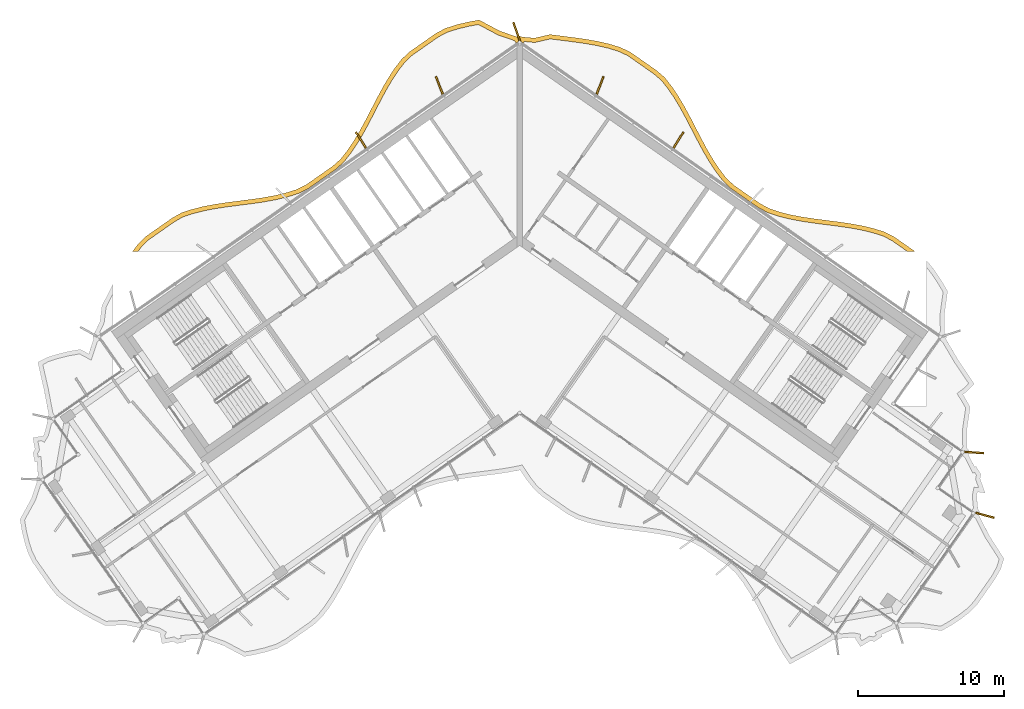
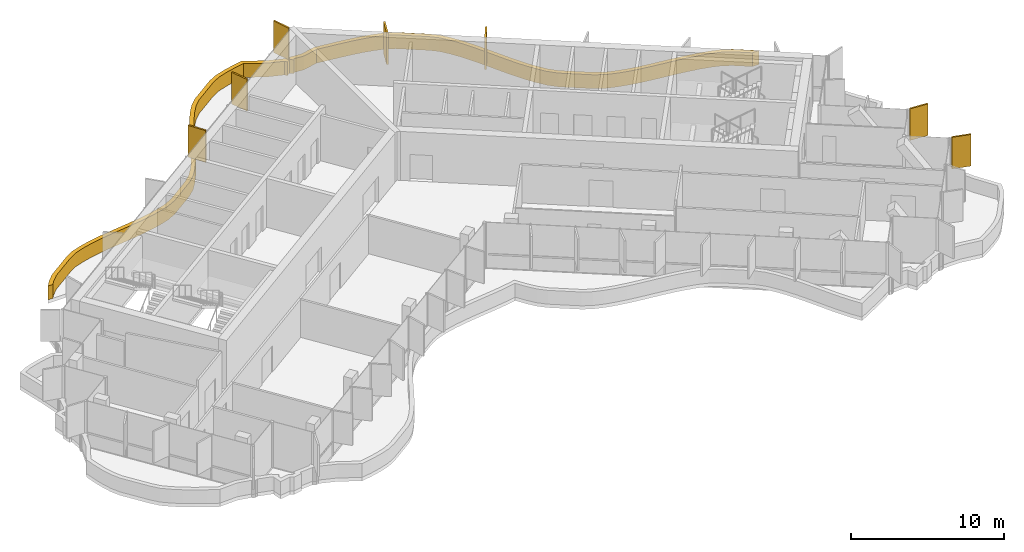
# One storey, part 18 of 18: 8 shading devices.
"""IFC4 building model written with IfcOpenShell, lengths in metres."""

from ifc_helpers import new_model, si_unit, direction, frame, origin, origin_2d, place, context, subcontext, project, spatial, polyline, rectangle, outline, extrude, material, layer, layer_set, type_object, element, save


model = new_model("IFC4")

# Units and contexts
model_context = context("Model", 3, precision=1e-05, world=origin(), true_north=direction((0.0, 1.0)))
body_context = subcontext(model_context, "Body", "Model", "MODEL_VIEW")
ifc_project = project(units=[si_unit("LENGTHUNIT", "METRE"), si_unit("AREAUNIT", "SQUARE_METRE"), si_unit("VOLUMEUNIT", "CUBIC_METRE"), si_unit("PLANEANGLEUNIT", "RADIAN"), si_unit("MASSUNIT", "GRAM", prefix="KILO")], contexts=[model_context])

# Site, building, storey
site_placement = place(None, origin())
site = spatial("IfcSite", under=ifc_project, at=site_placement, CompositionType="ELEMENT")
building_placement = place(site_placement, origin())
building = spatial("IfcBuilding", under=site, at=building_placement, Name="Tel Ilan Convention Tower", CompositionType="ELEMENT")
storey_placement = place(building_placement, frame((0.0, 0.0, 268.300048828125)))
storey = spatial("IfcBuildingStorey", under=building, at=storey_placement, Name="L63", CompositionType="ELEMENT", Elevation=268.300048828125)

# Shading devices
ifc_material_1 = material(Name="Aluminium, bronze anodised", Category="aluminium")
ifc_layer_1 = layer(ifc_material_1, 0.1201171875)
ifc_layer_set_1 = layer_set([ifc_layer_1], Name="FIN BRONZE 1300x120")
shading_device_type_1 = type_object("IfcShadingDeviceType", Name="FIN BRONZE 1300x120", PredefinedType="USERDEFINED", material=ifc_layer_set_1)
for number, where, z_axis, x_axis, name in (
    (1, (10.87841796875, 5.99658203125, 1.099853515625), (0.0, 0.0, 1.0), (0.533204432798, 0.845986425922, 0.0), "FIN"),
    (2, (5.50732421875, 9.7490234375, 1.099853515625), (0.0, 0.0, 1.0), (0.360177724803, 0.932883704733, 0.0), "FIN"),
    (3, (-0.21630859375, 13.450439453125, 1.099853515625), (0.0, 0.0, 1.0), (-0.332892691468, 0.942964716183, 0.0), "FIN"),
    (4, (-5.50732421875, 9.7490234375, 1.099853515625), (0.0, 0.0, 1.0), (-0.360177724803, 0.932883704733, 0.0), "FIN"),
    (5, (-10.87841796875, 5.99658203125, 1.099853515625), (0.0, 0.0, 1.0), (-0.533204432798, 0.845986425922, 0.0), "FIN"),
    (6, (31.886962890625, -19.715087890625, 1.099853515625), (0.0, 0.0, 1.0), (0.965925826289, -0.258819045103, 0.0), "FIN"),
    (7, (31.16015625, -15.414794921875, 1.099853515625), (0.0, 0.0, 1.0), (0.997697449973, -0.067821812994, 0.0), "FIN"),
):
    element("IfcShadingDevice", number, at=place(storey_placement, frame(where, z_axis=z_axis, x_axis=x_axis)), inside=storey, type_object=shading_device_type_1, Name=name, ObjectType="FIN", PredefinedType="USERDEFINED", context=body_context, shape_type="SweptSolid", body=[
        extrude(rectangle(XDim=1.300048828125, YDim=0.1201171875, at=origin_2d()), origin(), (0.0, 0.0, 1.0), 2.52001953125),
    ])
ifc_material_2 = material(Name="Aluminium, bronze anodised", Category="aluminium")
ifc_layer_2 = layer(ifc_material_2, 0.300048828125)
ifc_layer_set_2 = layer_set([ifc_layer_2], Name="LOUVRE BAND 300x1100")
shading_device_type_2 = type_object("IfcShadingDeviceType", Name="LOUVRE BAND 300x1100", PredefinedType="USERDEFINED", material=ifc_layer_set_2)
shading_device_placement = place(storey_placement, origin())
element("IfcShadingDevice", 8, at=shading_device_placement, inside=storey, type_object=shading_device_type_2, Name="LOUVRE BAND 48.02", ObjectType="LOUVRE", PredefinedType="USERDEFINED", context=body_context, shape_type="SweptSolid", body=[
    extrude(outline(polyline([(-26.1787109375, -1.1572265625), (-26.535888671875, -1.631591796875), (-26.160400390625, -1.631591796875), (-25.951416015625, -1.35400390625), (-25.457275390625, -0.856689453125), (-23.680908203125, 0.38720703125), (-23.075439453125, 0.7314453125), (-22.38525390625, 0.962158203125), (-21.640625, 1.14990234375), (-20.86181640625, 1.298828125), (-20.0576171875, 1.420166015625), (-18.409423828125, 1.63232421875), (-17.585205078125, 1.750732421875), (-16.773193359375, 1.89599609375), (-15.982666015625, 2.081298828125), (-15.212646484375, 2.320556640625), (-14.499267578125, 2.665771484375), (-12.656005859375, 3.956298828125), (-12.066162109375, 4.474609375), (-11.566650390625, 5.110107421875), (-11.115234375, 5.78173828125), (-10.696044921875, 6.4892578125), (-10.29931640625, 7.220458984375), (-9.535400390625, 8.69873046875), (-9.148681640625, 9.41796875), (-8.746337890625, 10.106201171875), (-8.320556640625, 10.751220703125), (-7.871337890625, 11.33544921875), (-7.3623046875, 11.813720703125), (-5.585693359375, 13.0576171875), (-4.96826171875, 13.382568359375), (-4.27001953125, 13.607666015625), (-3.520751953125, 13.78955078125), (-2.834228515625, 13.914794921875), (-1.477294921875, 13.19677734375), (-0.362060546875, 12.81201171875), (-0.24609375, 12.646728515625), (0.0, 12.818115234375), (0.24609375, 12.646728515625), (0.318603515625, 12.75), (1.040771484375, 12.687744140625), (2.10400390625, 12.9296875), (3.699462890625, 12.72509765625), (4.510009765625, 12.60986328125), (5.2978515625, 12.47119140625), (6.054443359375, 12.297119140625), (6.765625, 12.080078125), (7.40185546875, 11.785888671875), (9.17822265625, 10.5419921875), (9.708740234375, 10.0908203125), (10.16162109375, 9.521240234375), (10.5927734375, 8.885498046875), (10.9990234375, 8.204833984375), (11.38818359375, 7.49072265625), (12.151123046875, 6.014404296875), (12.54443359375, 5.2802734375), (12.958740234375, 4.567138671875), (13.403076171875, 3.8876953125), (13.891357421875, 3.245849609375), (14.459716796875, 2.693359375), (16.302978515625, 1.40283203125), (16.991455078125, 1.02587890625), (17.759521484375, 0.773681640625), (18.544921875, 0.579345703125), (19.353271484375, 0.42724609375), (20.176025390625, 0.3046875), (21.826416015625, 0.092529296875), (22.634765625, -0.025146484375), (23.4189453125, -0.167724609375), (24.1708984375, -0.34716796875), (24.873291015625, -0.569580078125), (25.496826171875, -0.88427734375), (26.56396484375, -1.631591796875), (27.087158203125, -1.631591796875), (25.6513671875, -0.626220703125), (24.987060546875, -0.290771484375), (24.2509765625, -0.057861328125), (23.480712890625, 0.1259765625), (22.68310546875, 0.27099609375), (21.8671875, 0.3896484375), (20.21728515625, 0.601806640625), (19.4033203125, 0.72314453125), (18.60888671875, 0.87255859375), (17.842529296875, 1.062255859375), (17.111328125, 1.30224609375), (16.46142578125, 1.657958984375), (14.6513671875, 2.92529296875), (14.116455078125, 3.4453125), (13.648193359375, 4.060791015625), (13.214111328125, 4.724609375), (12.806396484375, 5.426513671875), (12.416748046875, 6.154052734375), (11.653076171875, 7.631591796875), (11.259521484375, 8.353515625), (10.845947265625, 9.046875), (10.403564453125, 9.69921875), (9.925537109375, 10.300537109375), (9.36181640625, 10.77978515625), (7.552001953125, 12.047119140625), (6.872802734375, 12.361083984375), (6.132080078125, 12.587158203125), (5.357666015625, 12.765380859375), (4.55712890625, 12.90625), (3.739501953125, 13.0224609375), (2.08935546875, 13.234130859375), (1.02001953125, 12.99072265625), (0.168701171875, 13.059326171875), (0.11474609375, 13.09521484375), (0.0, 13.1181640625), (-0.11474609375, 13.09521484375), (-0.168701171875, 13.059326171875), (-1.357666015625, 13.472900390625), (-2.785888671875, 14.228515625), (-3.5830078125, 14.083251953125), (-4.3515625, 13.896484375), (-5.0849609375, 13.66015625), (-5.7421875, 13.314453125), (-7.552001953125, 12.047119140625), (-8.09423828125, 11.53759765625), (-8.56494140625, 10.925537109375), (-9.001220703125, 10.264404296875), (-9.410400390625, 9.564697265625), (-9.801025390625, 8.838623046875), (-10.564453125, 7.36083984375), (-10.95703125, 6.63720703125), (-11.369140625, 5.94189453125), (-11.809326171875, 5.28662109375), (-12.284912109375, 4.681640625), (-12.841552734375, 4.192626953125), (-14.6513671875, 2.92529296875), (-15.3232421875, 2.6005859375), (-16.0615234375, 2.370849609375), (-16.833984375, 2.18994140625), (-17.6328125, 2.046875), (-18.44970703125, 1.9296875), (-20.099365234375, 1.71728515625), (-20.91259765625, 1.594482421875), (-21.705322265625, 1.44287109375), (-22.4697265625, 1.250244140625), (-23.1982421875, 1.0068359375), (-23.84130859375, 0.64111328125), (-25.6513671875, -0.626220703125), (-26.1787109375, -1.1572265625)])), origin(), (0.0, 0.0, 1.0), 1.099853515625),
])

save(model, "model.ifc")
